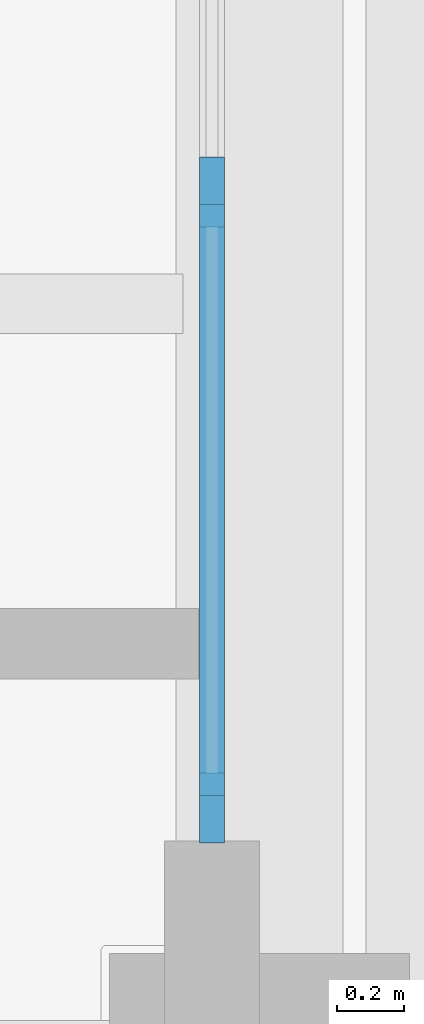
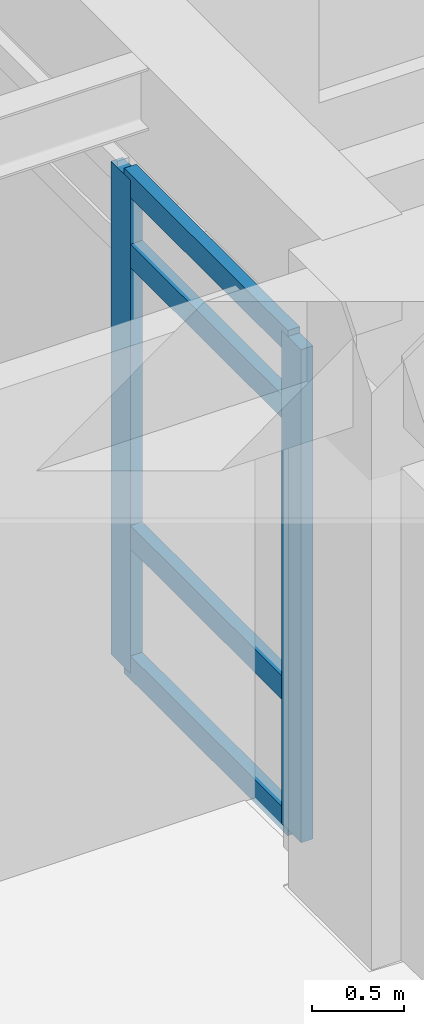
# One storey, part 12 of 69: 6 members, 1 element without a shape of its own.
"""IFC4 building model written with IfcOpenShell, lengths in metres."""

from ifc_helpers import new_model, si_unit, direction, frame, origin, origin_2d, place, context, subcontext, project, spatial, rectangle, extrude, material, layer, layer_set, material_profile, profile_set, type_object, element, aggregate, save


model = new_model("IFC4")

# Units and contexts
model_context = context("Model", 3, precision=1e-05, world=origin(), true_north=direction((0.0, 1.0)))
body_context = subcontext(model_context, "Body", "Model", "MODEL_VIEW")
ifc_project = project(units=[si_unit("LENGTHUNIT", "METRE"), si_unit("AREAUNIT", "SQUARE_METRE"), si_unit("VOLUMEUNIT", "CUBIC_METRE"), si_unit("PLANEANGLEUNIT", "RADIAN"), si_unit("MASSUNIT", "GRAM", prefix="KILO")], contexts=[model_context])

# Site, building, storey
site_placement = place(None, origin())
site = spatial("IfcSite", under=ifc_project, at=site_placement, CompositionType="ELEMENT")
building_placement = place(site_placement, origin())
building = spatial("IfcBuilding", under=site, at=building_placement, Name="Solenvale Faculty of Natural Sciences", CompositionType="ELEMENT")
storey_placement = place(building_placement, frame((0.0, 0.0, 4.5)))
storey = spatial("IfcBuildingStorey", under=building, at=storey_placement, Name="L01", CompositionType="ELEMENT", Elevation=4.5)

# Curtain wall, members
ifc_material = material(Name="Anodised bronze aluminium", Category="aluminium")
ifc_layer = layer(ifc_material, 0.179931640625)
ifc_layer_set = layer_set([ifc_layer], Name="Anodised bronze aluminium")
curtain_wall_type = type_object("IfcCurtainWallType", Name="CW-TWR-MOD", PredefinedType="USERDEFINED", material=ifc_layer_set)
curtain_wall_placement = place(storey_placement, origin())
curtain_wall = element("IfcCurtainWall", 1, at=curtain_wall_placement, inside=storey, type_object=curtain_wall_type, Name="L01 Curtain Wall CW-L01-P1-E6-B2", ObjectType="UNITISED CURTAIN WALL", PredefinedType="USERDEFINED")
ifc_material_profile_1 = material_profile(ifc_material, rectangle(XDim=0.074951171875, YDim=0.2099609375, at=origin_2d()), Name="ALU-MUL-75x210")
ifc_profile_set_1 = profile_set([ifc_material_profile_1], Name="Anodised bronze aluminium")
member_type_1 = type_object("IfcMemberType", Name="CWM-ALU-75x210", PredefinedType="MULLION", material=ifc_profile_set_1)
member_1_placement = place(storey_placement, frame((115.0576171875, 29.6875, 0.0), z_axis=(0.0, 0.0, 1.0), x_axis=(-1.0, 0.0, 0.0)))
member_1 = element("IfcMember", 2, at=member_1_placement, type_object=member_type_1, Name="CW-04 mullion 1", PredefinedType="MULLION", context=body_context, shape_type="SweptSolid", body=[
    extrude(rectangle(XDim=0.074951171875, YDim=0.2099609375, at=origin_2d()), origin(), (0.0, 0.0, 1.0), 3.260009765625),
])
member_2_placement = place(storey_placement, frame((115.0576171875, 31.534912109375, 0.0), z_axis=(0.0, 0.0, 1.0), x_axis=(-1.0, 0.0, 0.0)))
member_2 = element("IfcMember", 3, at=member_2_placement, type_object=member_type_1, Name="CW-04 mullion 2", PredefinedType="MULLION", context=body_context, shape_type="SweptSolid", body=[
    extrude(rectangle(XDim=0.074951171875, YDim=0.2099609375, at=origin_2d()), origin(), (0.0, 0.0, 1.0), 3.260009765625),
])
ifc_material_profile_2 = material_profile(ifc_material, rectangle(XDim=0.074951171875, YDim=0.155029296875, at=origin_2d()), Name="ALU-TRN-75x155")
ifc_profile_set_2 = profile_set([ifc_material_profile_2], Name="Anodised bronze aluminium")
member_type_2 = type_object("IfcMemberType", Name="CWT-ALU-75x155", PredefinedType="USERDEFINED", material=ifc_profile_set_2)
member_3_placement = place(storey_placement, frame((115.0576171875, 29.72509765625, 0.03759765625), z_axis=(0.0, 1.0, 0.0), x_axis=(-1.0, 0.0, 0.0)))
member_3 = element("IfcMember", 4, at=member_3_placement, type_object=member_type_2, Name="CW-04 transom 1.1", ObjectType="TRANSOM", PredefinedType="USERDEFINED", context=body_context, shape_type="SweptSolid", body=[
    extrude(rectangle(XDim=0.074951171875, YDim=0.155029296875, at=origin_2d()), origin(), (0.0, 0.0, 1.0), 1.7724609375),
])
member_4_placement = place(storey_placement, frame((115.0576171875, 29.72509765625, 0.89990234375), z_axis=(0.0, 1.0, 0.0), x_axis=(-1.0, 0.0, 0.0)))
member_4 = element("IfcMember", 5, at=member_4_placement, type_object=member_type_2, Name="CW-04 transom 1.2", ObjectType="TRANSOM", PredefinedType="USERDEFINED", context=body_context, shape_type="SweptSolid", body=[
    extrude(rectangle(XDim=0.074951171875, YDim=0.155029296875, at=origin_2d()), origin(), (0.0, 0.0, 1.0), 1.7724609375),
])
member_5_placement = place(storey_placement, frame((115.0576171875, 29.72509765625, 2.760009765625), z_axis=(0.0, 1.0, 0.0), x_axis=(-1.0, 0.0, 0.0)))
member_5 = element("IfcMember", 6, at=member_5_placement, type_object=member_type_2, Name="CW-04 transom 1.3", ObjectType="TRANSOM", PredefinedType="USERDEFINED", context=body_context, shape_type="SweptSolid", body=[
    extrude(rectangle(XDim=0.074951171875, YDim=0.155029296875, at=origin_2d()), origin(), (0.0, 0.0, 1.0), 1.7724609375),
])
member_6_placement = place(storey_placement, frame((115.0576171875, 29.72509765625, 3.222412109375), z_axis=(0.0, 1.0, 0.0), x_axis=(-1.0, 0.0, 0.0)))
member_6 = element("IfcMember", 7, at=member_6_placement, type_object=member_type_2, Name="CW-04 transom 1.4", ObjectType="TRANSOM", PredefinedType="USERDEFINED", context=body_context, shape_type="SweptSolid", body=[
    extrude(rectangle(XDim=0.074951171875, YDim=0.155029296875, at=origin_2d()), origin(), (0.0, 0.0, 1.0), 1.7724609375),
])
aggregate(curtain_wall, [member_1, member_2, member_3, member_4, member_5, member_6])

save(model, "model.ifc")
